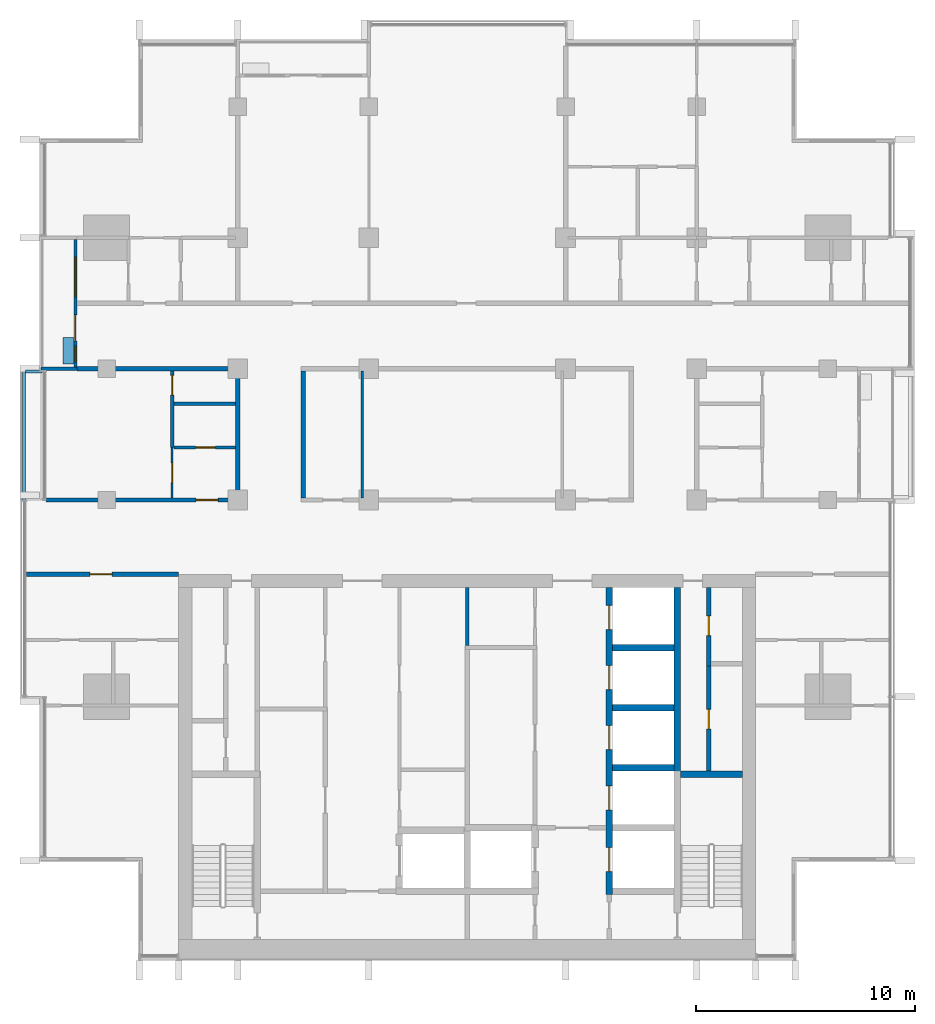
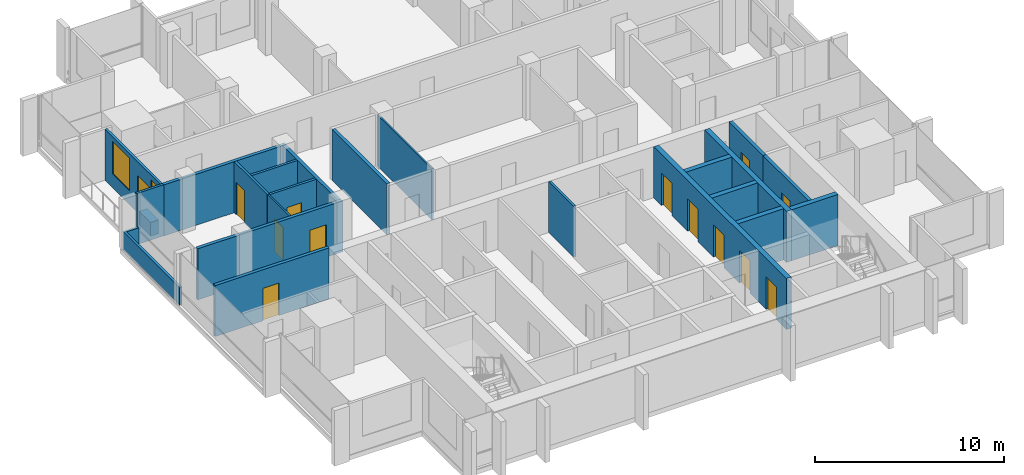
# One storey, part 8 of 16: 24 walls, 13 doors, 2 windows, 15 openings.
"""IFC4 building model written with IfcOpenShell, lengths in metres."""

from ifc_helpers import new_model, si_unit, direction, frame, frame_2d, origin, place, context, subcontext, project, spatial, rectangle, extrude, material, layer, layer_set, type_object, element, fill, save


model = new_model("IFC4")

# Units and contexts
model_context = context("Model", 3, precision=1e-05, world=origin(), true_north=direction((0.0, 1.0)))
body_context = subcontext(model_context, "Body", "Model", "MODEL_VIEW")
ifc_project = project(units=[si_unit("LENGTHUNIT", "METRE"), si_unit("AREAUNIT", "SQUARE_METRE"), si_unit("VOLUMEUNIT", "CUBIC_METRE"), si_unit("PLANEANGLEUNIT", "RADIAN"), si_unit("MASSUNIT", "GRAM", prefix="KILO")], contexts=[model_context])

# Site, building, storey
site_placement = place(None, origin())
site = spatial("IfcSite", under=ifc_project, at=site_placement, CompositionType="ELEMENT")
building_placement = place(site_placement, origin())
building = spatial("IfcBuilding", under=site, at=building_placement, Name="Finial Court Residences", CompositionType="ELEMENT")
storey_placement = place(building_placement, frame((0.0, 0.0, 208.699951171875)))
storey = spatial("IfcBuildingStorey", under=building, at=storey_placement, Name="L52", CompositionType="ELEMENT", Elevation=208.699951171875)

# Wall
ifc_material_1 = material(Name="Fire-rated gypsum board partition")
ifc_layer_1 = layer(ifc_material_1, 0.14990234375)
ifc_layer_set_1 = layer_set([ifc_layer_1], Name="Core room partition 150 EI 60")
wall_type_1 = type_object("IfcWallType", Name="Core room partition 150 EI 60", PredefinedType="PARTITIONING", material=ifc_layer_set_1)
wall_1_placement = place(storey_placement, frame((0.0, -11.14990234375, 0.0), z_axis=(0.0, 0.0, 1.0), x_axis=(0.0, 1.0, 0.0)))
element("IfcWall", 1, at=wall_1_placement, inside=storey, type_object=wall_type_1, Name="Core partition L52-31", PredefinedType="PARTITIONING", context=body_context, shape_type="SweptSolid", body=[
    extrude(rectangle(XDim=2.64990234375, YDim=0.14990234375, at=frame_2d((1.324951171875, 0.0))), origin(), (0.0, 0.0, 1.0), 3.300048828125),
])

# Wall, opening, door
ifc_material_2 = material(Name="Gypsum board")
ifc_layer_2 = layer(ifc_material_2, 0.02490234375)
ifc_material_3 = material(Name="Acoustic mineral wool in double frame")
ifc_layer_3 = layer(ifc_material_3, 0.14990234375)
ifc_layer_4 = layer(ifc_material_2, 0.02490234375)
ifc_layer_set_2 = layer_set([ifc_layer_2, ifc_layer_3, ifc_layer_4], Name="Corridor wall 200, 1 hour")
wall_type_2 = type_object("IfcWallType", Name="Corridor wall 200, 1 hour", PredefinedType="PARTITIONING", material=ifc_layer_set_2)
wall_2_placement = place(storey_placement, frame((-20.16259765625, -7.89990234375, 0.0), z_axis=(0.0, 0.0, 1.0), x_axis=(1.0, 0.0, 0.0)))
wall_2 = element("IfcWall", 2, at=wall_2_placement, inside=storey, type_object=wall_type_2, Name="Partition L52-004", PredefinedType="PARTITIONING", context=body_context, shape_type="SweptSolid", body=[
    extrude(rectangle(XDim=6.962646484375, YDim=0.199951171875, at=frame_2d((3.4814453125, 0.0))), origin(), (0.0, 0.0, 1.0), 3.300048828125),
])
opening_1_placement = place(wall_2_placement, frame((2.9130859375, 0.0, 0.0)))
opening_1 = element("IfcOpeningElement", 3, at=opening_1_placement, cuts=wall_2, Name="Opening L52-D007", PredefinedType="OPENING", context=body_context, shape_type="SweptSolid", body=[
    extrude(rectangle(XDim=1.0, YDim=2.10009765625, at=frame_2d((0.5, 1.050048828125))), frame((0.0, 0.10986328125, 0.0), z_axis=(0.0, -1.0, 0.0), x_axis=(1.0, 0.0, 0.0)), (0.0, 0.0, 1.0), 0.219970703125),
])
ifc_material_4 = material(Name="Timber door leaf in hollow metal frame", Category="wood")
door_type_1 = type_object("IfcDoorType", Name="Fire door set 1000 x 2100, 30 minutes", OperationType="SINGLE_SWING_LEFT", PredefinedType="DOOR", material=ifc_material_4)
door_1_placement = place(opening_1_placement, origin())
door_1 = element("IfcDoor", 4, at=door_1_placement, inside=storey, type_object=door_type_1, Name="Door L52-D007", OperationType="SINGLE_SWING_RIGHT", OverallHeight=2.10009765625, OverallWidth=1.0, PredefinedType="DOOR", context=body_context, shape_type="SweptSolid", body=[
    extrude(rectangle(XDim=1.0, YDim=2.10009765625, at=frame_2d((0.5, 1.050048828125))), frame((0.0, 0.02490234375, 0.0), z_axis=(0.0, -1.0, 0.0), x_axis=(1.0, 0.0, 0.0)), (0.0, 0.0, 1.0), 0.050048828125),
])
fill(opening_1, door_1)

wall_3_placement = place(storey_placement, frame((-19.262451171875, -4.5, 0.0), z_axis=(0.0, 0.0, 1.0), x_axis=(1.0, 0.0, 0.0)))
wall_3 = element("IfcWall", 5, at=wall_3_placement, inside=storey, type_object=wall_type_2, Name="Partition L52-006", PredefinedType="PARTITIONING", context=body_context, shape_type="SweptSolid", body=[
    extrude(rectangle(XDim=8.862548828125, YDim=0.199951171875, at=frame_2d((4.43115234375, 0.0))), origin(), (0.0, 0.0, 1.0), 3.300048828125),
])
opening_2_placement = place(wall_3_placement, frame((6.862060546875, 0.0, 0.0)))
opening_2 = element("IfcOpeningElement", 6, at=opening_2_placement, cuts=wall_3, Name="Opening L52-D009", PredefinedType="OPENING", context=body_context, shape_type="SweptSolid", body=[
    extrude(rectangle(XDim=1.0, YDim=2.10009765625, at=frame_2d((0.5, 1.050048828125))), frame((0.0, 0.10986328125, 0.0), z_axis=(0.0, -1.0, 0.0), x_axis=(1.0, 0.0, 0.0)), (0.0, 0.0, 1.0), 0.219970703125),
])
door_2_placement = place(opening_2_placement, origin())
door_2 = element("IfcDoor", 7, at=door_2_placement, inside=storey, type_object=door_type_1, Name="Door L52-D009", OperationType="SINGLE_SWING_LEFT", OverallHeight=2.10009765625, OverallWidth=1.0, PredefinedType="DOOR", context=body_context, shape_type="SweptSolid", body=[
    extrude(rectangle(XDim=1.0, YDim=2.10009765625, at=frame_2d((0.5, 1.050048828125))), frame((0.0, 0.02490234375, 0.0), z_axis=(0.0, -1.0, 0.0), x_axis=(1.0, 0.0, 0.0)), (0.0, 0.0, 1.0), 0.050048828125),
])
fill(opening_2, door_2)

# Walls
wall_4_placement = place(storey_placement, frame((-17.85009765625, 1.5, 0.0), z_axis=(0.0, 0.0, 1.0), x_axis=(1.0, 0.0, 0.0)))
element("IfcWall", 8, at=wall_4_placement, inside=storey, type_object=wall_type_2, Name="Partition L52-013", PredefinedType="PARTITIONING", context=body_context, shape_type="SweptSolid", body=[
    extrude(rectangle(XDim=7.4501953125, YDim=0.199951171875, at=frame_2d((3.72509765625, 0.0))), origin(), (0.0, 0.0, 1.0), 3.300048828125),
])
for number, where, z_axis, x_axis, name in (
    (9, (-10.5, -4.39990234375, 0.0), (0.0, 0.0, 1.0), (0.0, 1.0, 0.0), "Partition L52-031"),
    (10, (-7.5, -4.39990234375, 0.0), (0.0, 0.0, 1.0), (0.0, 1.0, 0.0), "Partition L52-033"),
):
    element("IfcWall", number, at=place(storey_placement, frame(where, z_axis=z_axis, x_axis=x_axis)), inside=storey, type_object=wall_type_2, Name=name, PredefinedType="PARTITIONING", context=body_context, shape_type="SweptSolid", body=[
        extrude(rectangle(XDim=5.7998046875, YDim=0.199951171875, at=frame_2d((2.89990234375, 0.0))), origin(), (0.0, 0.0, 1.0), 3.300048828125),
    ])

# Wall, opening, door
ifc_layer_5 = layer(ifc_material_2, 0.012451171875)
ifc_material_5 = material(Name="Mineral wool in light-gauge frame")
ifc_layer_6 = layer(ifc_material_5, 0.074951171875)
ifc_layer_7 = layer(ifc_material_2, 0.012451171875)
ifc_layer_set_3 = layer_set([ifc_layer_5, ifc_layer_6, ifc_layer_7], Name="Gypsum board partition 100")
wall_type_3 = type_object("IfcWallType", Name="Gypsum board partition 100", PredefinedType="PARTITIONING", material=ifc_layer_set_3)
wall_5_placement = place(storey_placement, frame((-13.5, -4.39990234375, 0.0), z_axis=(0.0, 0.0, 1.0), x_axis=(0.0, 1.0, 0.0)))
wall_5 = element("IfcWall", 11, at=wall_5_placement, inside=storey, type_object=wall_type_3, Name="Partition L52-028", PredefinedType="PARTITIONING", context=body_context, shape_type="SweptSolid", body=[
    extrude(rectangle(XDim=2.2998046875, YDim=0.10009765625, at=frame_2d((1.14990234375, 0.0))), origin(), (0.0, 0.0, 1.0), 3.300048828125),
])
opening_3_placement = place(wall_5_placement, frame((0.699951171875, 0.0, 0.0)))
opening_3 = element("IfcOpeningElement", 12, at=opening_3_placement, cuts=wall_5, Name="Opening L52-D025", PredefinedType="OPENING", context=body_context, shape_type="SweptSolid", body=[
    extrude(rectangle(XDim=0.89990234375, YDim=2.10009765625, at=frame_2d((0.449951171875, 1.050048828125))), frame((0.0, 0.06005859375, 0.0), z_axis=(0.0, -1.0, 0.0), x_axis=(1.0, 0.0, 0.0)), (0.0, 0.0, 1.0), 0.1201171875),
])
ifc_material_6 = material(Name="Timber door leaf in timber frame", Category="wood")
door_type_2 = type_object("IfcDoorType", Name="Door set 900 x 2100", OperationType="SINGLE_SWING_LEFT", PredefinedType="DOOR", material=ifc_material_6)
door_3_placement = place(opening_3_placement, origin())
door_3 = element("IfcDoor", 13, at=door_3_placement, inside=storey, type_object=door_type_2, Name="Door L52-D025", OperationType="SINGLE_SWING_LEFT", OverallHeight=2.10009765625, OverallWidth=0.89990234375, PredefinedType="DOOR", context=body_context, shape_type="SweptSolid", body=[
    extrude(rectangle(XDim=0.89990234375, YDim=2.10009765625, at=frame_2d((0.449951171875, 1.050048828125))), frame((0.0, 0.02490234375, 0.0), z_axis=(0.0, -1.0, 0.0), x_axis=(1.0, 0.0, 0.0)), (0.0, 0.0, 1.0), 0.050048828125),
])
fill(opening_3, door_3)

# Wall
wall_6_placement = place(storey_placement, frame((-4.800048828125, -4.39990234375, 0.0), z_axis=(0.0, 0.0, 1.0), x_axis=(0.0, 1.0, 0.0)))
element("IfcWall", 14, at=wall_6_placement, inside=storey, type_object=wall_type_3, Name="Partition L52-034", PredefinedType="PARTITIONING", context=body_context, shape_type="SweptSolid", body=[
    extrude(rectangle(XDim=5.7998046875, YDim=0.10009765625, at=frame_2d((2.89990234375, 0.0))), origin(), (0.0, 0.0, 1.0), 3.300048828125),
])

# Wall, opening, door
ifc_material_7 = material(Name="Moisture-resistant gypsum board")
ifc_layer_8 = layer(ifc_material_7, 0.012451171875)
ifc_layer_9 = layer(ifc_material_5, 0.125)
ifc_layer_10 = layer(ifc_material_7, 0.012451171875)
ifc_layer_set_4 = layer_set([ifc_layer_8, ifc_layer_9, ifc_layer_10], Name="Gypsum board wet-area partition 150")
wall_type_4 = type_object("IfcWallType", Name="Gypsum board wet-area partition 150", PredefinedType="PARTITIONING", material=ifc_layer_set_4)
wall_7_placement = place(storey_placement, frame((-13.425048828125, -2.10009765625, 0.0), z_axis=(0.0, 0.0, 1.0), x_axis=(1.0, 0.0, 0.0)))
wall_7 = element("IfcWall", 15, at=wall_7_placement, inside=storey, type_object=wall_type_4, Name="Partition L52-009", PredefinedType="PARTITIONING", context=body_context, shape_type="SweptSolid", body=[
    extrude(rectangle(XDim=2.824951171875, YDim=0.14990234375, at=frame_2d((1.41259765625, 0.0))), origin(), (0.0, 0.0, 1.0), 3.300048828125),
])
opening_4_placement = place(wall_7_placement, frame((1.0, 0.0, 0.0)))
opening_4 = element("IfcOpeningElement", 16, at=opening_4_placement, cuts=wall_7, Name="Opening L52-D014", PredefinedType="OPENING", context=body_context, shape_type="SweptSolid", body=[
    extrude(rectangle(XDim=0.89990234375, YDim=2.10009765625, at=frame_2d((0.449951171875, 1.050048828125))), frame((0.0, 0.0849609375, 0.0), z_axis=(0.0, -1.0, 0.0), x_axis=(1.0, 0.0, 0.0)), (0.0, 0.0, 1.0), 0.169921875),
])
door_4_placement = place(opening_4_placement, origin())
door_4 = element("IfcDoor", 17, at=door_4_placement, inside=storey, type_object=door_type_2, Name="Door L52-D014", OperationType="SINGLE_SWING_LEFT", OverallHeight=2.10009765625, OverallWidth=0.89990234375, PredefinedType="DOOR", context=body_context, shape_type="SweptSolid", body=[
    extrude(rectangle(XDim=0.89990234375, YDim=2.10009765625, at=frame_2d((0.449951171875, 1.050048828125))), frame((0.0, 0.02490234375, 0.0), z_axis=(0.0, -1.0, 0.0), x_axis=(1.0, 0.0, 0.0)), (0.0, 0.0, 1.0), 0.050048828125),
])
fill(opening_4, door_4)

# Wall
wall_8_placement = place(storey_placement, frame((-13.425048828125, -0.10009765625, 0.0), z_axis=(0.0, 0.0, 1.0), x_axis=(1.0, 0.0, 0.0)))
element("IfcWall", 18, at=wall_8_placement, inside=storey, type_object=wall_type_4, Name="Partition L52-011", PredefinedType="PARTITIONING", context=body_context, shape_type="SweptSolid", body=[
    extrude(rectangle(XDim=2.824951171875, YDim=0.14990234375, at=frame_2d((1.41259765625, 0.0))), origin(), (0.0, 0.0, 1.0), 3.300048828125),
])

# Wall, opening, door
wall_9_placement = place(storey_placement, frame((-13.5, -2.10009765625, 0.0), z_axis=(0.0, 0.0, 1.0), x_axis=(0.0, 1.0, 0.0)))
wall_9 = element("IfcWall", 19, at=wall_9_placement, inside=storey, type_object=wall_type_4, Name="Partition L52-029", PredefinedType="PARTITIONING", context=body_context, shape_type="SweptSolid", body=[
    extrude(rectangle(XDim=3.5, YDim=0.14990234375, at=frame_2d((1.75, 0.0))), origin(), (0.0, 0.0, 1.0), 3.300048828125),
])
opening_5_placement = place(wall_9_placement, frame((2.39990234375, 0.0, 0.0)))
opening_5 = element("IfcOpeningElement", 20, at=opening_5_placement, cuts=wall_9, Name="Opening L52-D026", PredefinedType="OPENING", context=body_context, shape_type="SweptSolid", body=[
    extrude(rectangle(XDim=0.89990234375, YDim=2.10009765625, at=frame_2d((0.449951171875, 1.050048828125))), frame((0.0, 0.0849609375, 0.0), z_axis=(0.0, -1.0, 0.0), x_axis=(1.0, 0.0, 0.0)), (0.0, 0.0, 1.0), 0.169921875),
])
door_5_placement = place(opening_5_placement, origin())
door_5 = element("IfcDoor", 21, at=door_5_placement, inside=storey, type_object=door_type_2, Name="Door L52-D026", OperationType="SINGLE_SWING_RIGHT", OverallHeight=2.10009765625, OverallWidth=0.89990234375, PredefinedType="DOOR", context=body_context, shape_type="SweptSolid", body=[
    extrude(rectangle(XDim=0.89990234375, YDim=2.10009765625, at=frame_2d((0.449951171875, 1.050048828125))), frame((0.0, 0.02490234375, 0.0), z_axis=(0.0, -1.0, 0.0), x_axis=(1.0, 0.0, 0.0)), (0.0, 0.0, 1.0), 0.050048828125),
])
fill(opening_5, door_5)

# Walls
ifc_material_8 = material(Name="Concrete C35/45", Category="concrete")
ifc_layer_11 = layer(ifc_material_8, 0.14990234375)
ifc_layer_set_5 = layer_set([ifc_layer_11], Name="Ledge parapet, Concrete C35/45 150")
wall_type_5 = type_object("IfcWallType", Name="Ledge parapet, Concrete C35/45 150", PredefinedType="PARAPET", material=ifc_layer_set_5)
wall_10_placement = place(storey_placement, frame((-20.27490234375, -4.552490234375, 0.0), z_axis=(0.0, 0.0, 1.0), x_axis=(0.0, 1.0, 0.0)))
element("IfcWall", 22, at=wall_10_placement, inside=storey, type_object=wall_type_5, Name="E-L52-LED1-P1", PredefinedType="PARAPET", context=body_context, shape_type="SweptSolid", body=[
    extrude(rectangle(XDim=6.00244140625, YDim=0.14990234375, at=frame_2d((3.001220703125, 0.0))), origin(), (0.0, 0.0, 1.0), 1.150146484375),
])
wall_11_placement = place(storey_placement, frame((-20.199951171875, 1.375, 0.0), z_axis=(0.0, 0.0, 1.0), x_axis=(1.0, 0.0, 0.0)))
element("IfcWall", 23, at=wall_11_placement, inside=storey, type_object=wall_type_5, Name="E-L52-LED1-P2", PredefinedType="PARAPET", context=body_context, shape_type="SweptSolid", body=[
    extrude(rectangle(XDim=0.75244140625, YDim=0.14990234375, at=frame_2d((0.376220703125, 0.0))), origin(), (0.0, 0.0, 1.0), 1.150146484375),
])
ifc_material_9 = material(Name="Concrete C60/75", Category="concrete")
ifc_layer_12 = layer(ifc_material_9, 0.300048828125)
ifc_layer_set_6 = layer_set([ifc_layer_12], Name="Lift shaft and stair wall 300 Concrete C60/75")
wall_type_6 = type_object("IfcWallType", Name="Lift shaft and stair wall 300 Concrete C60/75", PredefinedType="SHEAR", material=ifc_layer_set_6)
wall_12_placement = place(storey_placement, frame((9.75, -17.050048828125, 0.0), z_axis=(0.0, 0.0, 1.0), x_axis=(1.0, 0.0, 0.0)))
element("IfcWall", 24, at=wall_12_placement, inside=storey, type_object=wall_type_6, Name="Core wall L52-10", PredefinedType="SHEAR", context=body_context, shape_type="SweptSolid", body=[
    extrude(rectangle(XDim=2.85009765625, YDim=0.300048828125, at=frame_2d((1.425048828125, 0.0))), origin(), (0.0, 0.0, 1.0), 3.300048828125),
])
for number, where, z_axis, x_axis, name in (
    (25, (6.64990234375, -16.75, 0.0), (0.0, 0.0, 1.0), (1.0, 0.0, 0.0), "Core wall L52-12"),
    (26, (6.64990234375, -14.0, 0.0), (0.0, 0.0, 1.0), (1.0, 0.0, 0.0), "Core wall L52-15"),
    (27, (6.64990234375, -11.25, 0.0), (0.0, 0.0, 1.0), (1.0, 0.0, 0.0), "Core wall L52-18"),
):
    element("IfcWall", number, at=place(storey_placement, frame(where, z_axis=z_axis, x_axis=x_axis)), inside=storey, type_object=wall_type_6, Name=name, PredefinedType="SHEAR", context=body_context, shape_type="SweptSolid", body=[
        extrude(rectangle(XDim=2.800048828125, YDim=0.300048828125, at=frame_2d((1.39990234375, 0.0))), origin(), (0.0, 0.0, 1.0), 3.300048828125),
    ])

# Wall, openings, doors
wall_13_placement = place(storey_placement, frame((6.5, -22.550048828125, 0.0), z_axis=(0.0, 0.0, 1.0), x_axis=(0.0, 1.0, 0.0)))
wall_13 = element("IfcWall", 28, at=wall_13_placement, inside=storey, type_object=wall_type_6, Name="Core wall L52-37", PredefinedType="SHEAR", context=body_context, shape_type="SweptSolid", body=[
    extrude(rectangle(XDim=14.050048828125, YDim=0.300048828125, at=frame_2d((7.02490234375, 0.0))), origin(), (0.0, 0.0, 1.0), 3.300048828125),
])
opening_6_placement = place(wall_13_placement, frame((1.050048828125, 0.0, 0.0)))
opening_6 = element("IfcOpeningElement", 29, at=opening_6_placement, cuts=wall_13, Name="Opening L52-LD02", PredefinedType="OPENING", context=body_context, shape_type="SweptSolid", body=[
    extrude(rectangle(XDim=1.10009765625, YDim=2.10009765625, at=frame_2d((0.550048828125, 1.050048828125))), frame((0.0, 0.159912109375, 0.0), z_axis=(0.0, -1.0, 0.0), x_axis=(1.0, 0.0, 0.0)), (0.0, 0.0, 1.0), 0.320068359375),
])
opening_7_placement = place(wall_13_placement, frame((3.875, 0.0, 0.0)))
opening_7 = element("IfcOpeningElement", 30, at=opening_7_placement, cuts=wall_13, Name="Opening L52-LD03", PredefinedType="OPENING", context=body_context, shape_type="SweptSolid", body=[
    extrude(rectangle(XDim=1.10009765625, YDim=2.10009765625, at=frame_2d((0.550048828125, 1.050048828125))), frame((0.0, 0.159912109375, 0.0), z_axis=(0.0, -1.0, 0.0), x_axis=(1.0, 0.0, 0.0)), (0.0, 0.0, 1.0), 0.320068359375),
])
opening_8_placement = place(wall_13_placement, frame((6.625, 0.0, 0.0)))
opening_8 = element("IfcOpeningElement", 31, at=opening_8_placement, cuts=wall_13, Name="Opening L52-LD04", PredefinedType="OPENING", context=body_context, shape_type="SweptSolid", body=[
    extrude(rectangle(XDim=1.10009765625, YDim=2.10009765625, at=frame_2d((0.550048828125, 1.050048828125))), frame((0.0, 0.159912109375, 0.0), z_axis=(0.0, -1.0, 0.0), x_axis=(1.0, 0.0, 0.0)), (0.0, 0.0, 1.0), 0.320068359375),
])
opening_9_placement = place(wall_13_placement, frame((9.375, 0.0, 0.0)))
opening_9 = element("IfcOpeningElement", 32, at=opening_9_placement, cuts=wall_13, Name="Opening L52-LD05", PredefinedType="OPENING", context=body_context, shape_type="SweptSolid", body=[
    extrude(rectangle(XDim=1.10009765625, YDim=2.10009765625, at=frame_2d((0.550048828125, 1.050048828125))), frame((0.0, 0.159912109375, 0.0), z_axis=(0.0, -1.0, 0.0), x_axis=(1.0, 0.0, 0.0)), (0.0, 0.0, 1.0), 0.320068359375),
])
opening_10_placement = place(wall_13_placement, frame((12.125, 0.0, 0.0)))
opening_10 = element("IfcOpeningElement", 33, at=opening_10_placement, cuts=wall_13, Name="Opening L52-LD06", PredefinedType="OPENING", context=body_context, shape_type="SweptSolid", body=[
    extrude(rectangle(XDim=1.10009765625, YDim=2.10009765625, at=frame_2d((0.550048828125, 1.050048828125))), frame((0.0, 0.159912109375, 0.0), z_axis=(0.0, -1.0, 0.0), x_axis=(1.0, 0.0, 0.0)), (0.0, 0.0, 1.0), 0.320068359375),
])
ifc_material_10 = material(Name="Stainless steel lift door", Category="steel")
door_type_3 = type_object("IfcDoorType", Name="Lift landing door 1100 x 2100 EI 90", OperationType="DOUBLE_DOOR_SLIDING", PredefinedType="DOOR", material=ifc_material_10)
door_6_placement = place(opening_6_placement, origin())
door_6 = element("IfcDoor", 34, at=door_6_placement, inside=storey, type_object=door_type_3, Name="Lift landing door FF2 L52", OperationType="DOUBLE_DOOR_SLIDING", OverallHeight=2.10009765625, OverallWidth=1.10009765625, PredefinedType="DOOR", context=body_context, shape_type="SweptSolid", body=[
    extrude(rectangle(XDim=1.10009765625, YDim=2.10009765625, at=frame_2d((0.550048828125, 1.050048828125))), frame((0.0, 0.02490234375, 0.0), z_axis=(0.0, -1.0, 0.0), x_axis=(1.0, 0.0, 0.0)), (0.0, 0.0, 1.0), 0.050048828125),
])
fill(opening_6, door_6)
door_7_placement = place(opening_7_placement, origin())
door_7 = element("IfcDoor", 35, at=door_7_placement, inside=storey, type_object=door_type_3, Name="Lift landing door HR5 L52", OperationType="DOUBLE_DOOR_SLIDING", OverallHeight=2.10009765625, OverallWidth=1.10009765625, PredefinedType="DOOR", context=body_context, shape_type="SweptSolid", body=[
    extrude(rectangle(XDim=1.10009765625, YDim=2.10009765625, at=frame_2d((0.550048828125, 1.050048828125))), frame((0.0, 0.02490234375, 0.0), z_axis=(0.0, -1.0, 0.0), x_axis=(1.0, 0.0, 0.0)), (0.0, 0.0, 1.0), 0.050048828125),
])
fill(opening_7, door_7)
door_8_placement = place(opening_8_placement, origin())
door_8 = element("IfcDoor", 36, at=door_8_placement, inside=storey, type_object=door_type_3, Name="Lift landing door HR6 L52", OperationType="DOUBLE_DOOR_SLIDING", OverallHeight=2.10009765625, OverallWidth=1.10009765625, PredefinedType="DOOR", context=body_context, shape_type="SweptSolid", body=[
    extrude(rectangle(XDim=1.10009765625, YDim=2.10009765625, at=frame_2d((0.550048828125, 1.050048828125))), frame((0.0, 0.02490234375, 0.0), z_axis=(0.0, -1.0, 0.0), x_axis=(1.0, 0.0, 0.0)), (0.0, 0.0, 1.0), 0.050048828125),
])
fill(opening_8, door_8)
door_9_placement = place(opening_9_placement, origin())
door_9 = element("IfcDoor", 37, at=door_9_placement, inside=storey, type_object=door_type_3, Name="Lift landing door HR7 L52", OperationType="DOUBLE_DOOR_SLIDING", OverallHeight=2.10009765625, OverallWidth=1.10009765625, PredefinedType="DOOR", context=body_context, shape_type="SweptSolid", body=[
    extrude(rectangle(XDim=1.10009765625, YDim=2.10009765625, at=frame_2d((0.550048828125, 1.050048828125))), frame((0.0, 0.02490234375, 0.0), z_axis=(0.0, -1.0, 0.0), x_axis=(1.0, 0.0, 0.0)), (0.0, 0.0, 1.0), 0.050048828125),
])
fill(opening_9, door_9)
door_10_placement = place(opening_10_placement, origin())
door_10 = element("IfcDoor", 38, at=door_10_placement, inside=storey, type_object=door_type_3, Name="Lift landing door HR8 L52", OperationType="DOUBLE_DOOR_SLIDING", OverallHeight=2.10009765625, OverallWidth=1.10009765625, PredefinedType="DOOR", context=body_context, shape_type="SweptSolid", body=[
    extrude(rectangle(XDim=1.10009765625, YDim=2.10009765625, at=frame_2d((0.550048828125, 1.050048828125))), frame((0.0, 0.02490234375, 0.0), z_axis=(0.0, -1.0, 0.0), x_axis=(1.0, 0.0, 0.0)), (0.0, 0.0, 1.0), 0.050048828125),
])
fill(opening_10, door_10)

# Walls
wall_14_placement = place(storey_placement, frame((9.60009765625, -17.199951171875, 0.0), z_axis=(0.0, 0.0, 1.0), x_axis=(0.0, 1.0, 0.0)))
element("IfcWall", 39, at=wall_14_placement, inside=storey, type_object=wall_type_6, Name="Core wall L52-39", PredefinedType="SHEAR", context=body_context, shape_type="SweptSolid", body=[
    extrude(rectangle(XDim=8.699951171875, YDim=0.300048828125, at=frame_2d((4.35009765625, 0.0))), origin(), (0.0, 0.0, 1.0), 3.300048828125),
])
ifc_material_11 = material(Name="Natural limestone", Category="masonry")
ifc_layer_13 = layer(ifc_material_11, 0.14990234375)
ifc_layer_set_7 = layer_set([ifc_layer_13], Name="Limestone clad wall 150")
wall_type_7 = type_object("IfcWallType", Name="Limestone clad wall 150", PredefinedType="SOLIDWALL", material=ifc_layer_set_7)
wall_15_placement = place(storey_placement, frame((-17.85009765625, 1.5, 0.0), z_axis=(0.0, 0.0, 1.0), x_axis=(-1.0, 0.0, 0.0)))
element("IfcWall", 40, at=wall_15_placement, inside=storey, type_object=wall_type_7, Name="E-L52-BALW4-P1", PredefinedType="SOLIDWALL", context=body_context, shape_type="SweptSolid", body=[
    extrude(rectangle(XDim=1.64990234375, YDim=0.14990234375, at=frame_2d((0.824951171875, 0.0))), origin(), (0.0, 0.0, 1.0), 3.300048828125),
])

# Wall, openings, door, windows
wall_16_placement = place(storey_placement, frame((-17.925048828125, 1.574951171875, 0.0), z_axis=(0.0, 0.0, 1.0), x_axis=(0.0, 1.0, 0.0)))
wall_16 = element("IfcWall", 41, at=wall_16_placement, inside=storey, type_object=wall_type_7, Name="E-L52-L52-BALW4-W", PredefinedType="SOLIDWALL", context=body_context, shape_type="SweptSolid", body=[
    extrude(rectangle(XDim=5.85009765625, YDim=0.14990234375, at=frame_2d((2.925048828125, 0.0))), origin(), (0.0, 0.0, 1.0), 3.300048828125),
])
opening_11_placement = place(wall_16_placement, frame((1.199951171875, 0.0, 0.0)))
opening_11 = element("IfcOpeningElement", 42, at=opening_11_placement, cuts=wall_16, Name="Opening DE52-03", PredefinedType="OPENING", context=body_context, shape_type="SweptSolid", body=[
    extrude(rectangle(XDim=1.199951171875, YDim=2.39990234375, at=frame_2d((0.60009765625, 1.199951171875))), frame((0.0, 0.0849609375, 0.0), z_axis=(0.0, -1.0, 0.0), x_axis=(1.0, 0.0, 0.0)), (0.0, 0.0, 1.0), 0.169921875),
])
opening_12_placement = place(wall_16_placement, frame((0.25, 0.0, 0.89990234375)))
opening_12 = element("IfcOpeningElement", 43, at=opening_12_placement, cuts=wall_16, Name="Opening WE52-13", PredefinedType="OPENING", context=body_context, shape_type="SweptSolid", body=[
    extrude(rectangle(XDim=0.699951171875, YDim=2.10009765625, at=frame_2d((0.35009765625, 1.050048828125))), frame((0.0, 0.0849609375, 0.0), z_axis=(0.0, -1.0, 0.0), x_axis=(1.0, 0.0, 0.0)), (0.0, 0.0, 1.0), 0.169921875),
])
opening_13_placement = place(wall_16_placement, frame((3.22509765625, 0.0, 0.89990234375)))
opening_13 = element("IfcOpeningElement", 44, at=opening_13_placement, cuts=wall_16, Name="Opening WE52-14", PredefinedType="OPENING", context=body_context, shape_type="SweptSolid", body=[
    extrude(rectangle(XDim=1.800048828125, YDim=2.10009765625, at=frame_2d((0.89990234375, 1.050048828125))), frame((0.0, 0.0849609375, 0.0), z_axis=(0.0, -1.0, 0.0), x_axis=(1.0, 0.0, 0.0)), (0.0, 0.0, 1.0), 0.169921875),
])
ifc_material_12 = material(Name="Bronze anodised aluminium", Category="aluminium")
door_type_4 = type_object("IfcDoorType", Name="Balcony door 1200 x 2400", OperationType="SINGLE_SWING_LEFT", PredefinedType="DOOR", material=ifc_material_12)
door_11_placement = place(opening_11_placement, origin())
door_11 = element("IfcDoor", 45, at=door_11_placement, inside=storey, type_object=door_type_4, Name="E-L52-L52-BALW4-W-D", OperationType="SINGLE_SWING_RIGHT", OverallHeight=2.39990234375, OverallWidth=1.199951171875, PredefinedType="DOOR", context=body_context, shape_type="SweptSolid", body=[
    extrude(rectangle(XDim=1.199951171875, YDim=2.39990234375, at=frame_2d((0.60009765625, 1.199951171875))), frame((0.0, 0.02490234375, 0.0), z_axis=(0.0, -1.0, 0.0), x_axis=(1.0, 0.0, 0.0)), (0.0, 0.0, 1.0), 0.050048828125),
])
fill(opening_11, door_11)
ifc_material_13 = material(Name="Clear low-e glass", Category="glass")
window_type_1 = type_object("IfcWindowType", Name="Balcony window 1800 x 2100", PartitioningType="SINGLE_PANEL", PredefinedType="WINDOW", material=ifc_material_13)
window_1_placement = place(opening_13_placement, origin())
window_1 = element("IfcWindow", 46, at=window_1_placement, inside=storey, type_object=window_type_1, Name="E-L52-L52-BALW4-W-W2", OverallHeight=2.10009765625, OverallWidth=1.800048828125, PartitioningType="SINGLE_PANEL", PredefinedType="WINDOW", context=body_context, shape_type="SweptSolid", body=[
    extrude(rectangle(XDim=1.800048828125, YDim=2.10009765625, at=frame_2d((0.89990234375, 1.050048828125))), frame((0.0, 0.030029296875, 0.0), z_axis=(0.0, -1.0, 0.0), x_axis=(1.0, 0.0, 0.0)), (0.0, 0.0, 1.0), 0.06005859375),
])
fill(opening_13, window_1)
window_type_2 = type_object("IfcWindowType", Name="Balcony window 700 x 2100", PartitioningType="SINGLE_PANEL", PredefinedType="WINDOW", material=ifc_material_13)
window_2_placement = place(opening_12_placement, origin())
window_2 = element("IfcWindow", 47, at=window_2_placement, inside=storey, type_object=window_type_2, Name="E-L52-L52-BALW4-W-W1", OverallHeight=2.10009765625, OverallWidth=0.699951171875, PartitioningType="SINGLE_PANEL", PredefinedType="WINDOW", context=body_context, shape_type="SweptSolid", body=[
    extrude(rectangle(XDim=0.699951171875, YDim=2.10009765625, at=frame_2d((0.35009765625, 1.050048828125))), frame((0.0, 0.030029296875, 0.0), z_axis=(0.0, -1.0, 0.0), x_axis=(1.0, 0.0, 0.0)), (0.0, 0.0, 1.0), 0.06005859375),
])
fill(opening_12, window_2)

# Wall
ifc_material_14 = material(Name="Concrete C40/50", Category="concrete")
ifc_layer_14 = layer(ifc_material_14, 0.10009765625)
ifc_material_15 = material(Name="Planting soil", Category="soil")
ifc_layer_15 = layer(ifc_material_15, 0.300048828125)
ifc_layer_16 = layer(ifc_material_14, 0.10009765625)
ifc_layer_set_8 = layer_set([ifc_layer_14, ifc_layer_15, ifc_layer_16], Name="Planter wall, balcony")
wall_type_8 = type_object("IfcWallType", Name="Planter wall, balcony", PredefinedType="USERDEFINED", material=ifc_layer_set_8)
wall_17_placement = place(storey_placement, frame((-18.25, 1.72509765625, 0.0), z_axis=(0.0, 0.0, 1.0), x_axis=(0.0, 1.0, 0.0)))
element("IfcWall", 48, at=wall_17_placement, inside=storey, type_object=wall_type_8, Name="E-L52-BALW4-PL", ObjectType="PLANTER", PredefinedType="USERDEFINED", context=body_context, shape_type="SweptSolid", body=[
    extrude(rectangle(XDim=1.199951171875, YDim=0.5, at=frame_2d((0.60009765625, 0.0))), origin(), (0.0, 0.0, 1.0), 0.900146484375),
])

# Wall, opening, door
ifc_layer_17 = layer(ifc_material_1, 0.199951171875)
ifc_layer_set_9 = layer_set([ifc_layer_17], Name="Riser room wall 200 EI 120")
wall_type_9 = type_object("IfcWallType", Name="Riser room wall 200 EI 120", PredefinedType="PARTITIONING", material=ifc_layer_set_9)
wall_18_placement = place(storey_placement, frame((11.050048828125, -8.5, 0.0), z_axis=(0.0, 0.0, 1.0), x_axis=(0.0, -1.0, 0.0)))
wall_18 = element("IfcWall", 49, at=wall_18_placement, inside=storey, type_object=wall_type_9, Name="Core partition L52-41", PredefinedType="PARTITIONING", context=body_context, shape_type="SweptSolid", body=[
    extrude(rectangle(XDim=3.60009765625, YDim=0.199951171875, at=frame_2d((1.800048828125, 0.0))), origin(), (0.0, 0.0, 1.0), 3.300048828125),
])
opening_14_placement = place(wall_18_placement, frame((1.300048828125, 0.0, 0.0)))
opening_14 = element("IfcOpeningElement", 50, at=opening_14_placement, cuts=wall_18, Name="Opening L52-C08", PredefinedType="OPENING", context=body_context, shape_type="SweptSolid", body=[
    extrude(rectangle(XDim=0.89990234375, YDim=2.10009765625, at=frame_2d((0.449951171875, 1.050048828125))), frame((0.0, 0.10986328125, 0.0), z_axis=(0.0, -1.0, 0.0), x_axis=(1.0, 0.0, 0.0)), (0.0, 0.0, 1.0), 0.219970703125),
])
ifc_material_16 = material(Name="Steel fire door", Category="steel")
door_type_5 = type_object("IfcDoorType", Name="Riser room door 900 x 2100 EI 90", OperationType="NOTDEFINED", PredefinedType="DOOR", material=ifc_material_16)
door_12_placement = place(opening_14_placement, origin())
door_12 = element("IfcDoor", 51, at=door_12_placement, inside=storey, type_object=door_type_5, Name="Riser room door L52-C08", OperationType="SINGLE_SWING_RIGHT", OverallHeight=2.10009765625, OverallWidth=0.89990234375, PredefinedType="DOOR", context=body_context, shape_type="SweptSolid", body=[
    extrude(rectangle(XDim=0.89990234375, YDim=2.10009765625, at=frame_2d((0.449951171875, 1.050048828125))), frame((0.0, 0.02490234375, 0.0), z_axis=(0.0, -1.0, 0.0), x_axis=(1.0, 0.0, 0.0)), (0.0, 0.0, 1.0), 0.050048828125),
])
fill(opening_14, door_12)

ifc_layer_18 = layer(ifc_material_1, 0.199951171875)
ifc_layer_set_10 = layer_set([ifc_layer_18], Name="Stair passage wall 200 EI 180")
wall_type_10 = type_object("IfcWallType", Name="Stair passage wall 200 EI 180", PredefinedType="PARTITIONING", material=ifc_layer_set_10)
wall_19_placement = place(storey_placement, frame((11.050048828125, -11.89990234375, 0.0), z_axis=(0.0, 0.0, 1.0), x_axis=(0.0, -1.0, 0.0)))
wall_19 = element("IfcWall", 52, at=wall_19_placement, inside=storey, type_object=wall_type_10, Name="Core partition L52-40", PredefinedType="PARTITIONING", context=body_context, shape_type="SweptSolid", body=[
    extrude(rectangle(XDim=5.0, YDim=0.199951171875, at=frame_2d((2.5, 0.0))), origin(), (0.0, 0.0, 1.0), 3.300048828125),
])
opening_15_placement = place(wall_19_placement, frame((2.175048828125, 0.0, 0.0)))
opening_15 = element("IfcOpeningElement", 53, at=opening_15_placement, cuts=wall_19, Name="Opening L52-C14", PredefinedType="OPENING", context=body_context, shape_type="SweptSolid", body=[
    extrude(rectangle(XDim=0.89990234375, YDim=2.10009765625, at=frame_2d((0.449951171875, 1.050048828125))), frame((0.0, 0.10986328125, 0.0), z_axis=(0.0, -1.0, 0.0), x_axis=(1.0, 0.0, 0.0)), (0.0, 0.0, 1.0), 0.219970703125),
])
door_type_6 = type_object("IfcDoorType", Name="Core room door 900 x 2100 EI 60", OperationType="NOTDEFINED", PredefinedType="DOOR", material=ifc_material_16)
door_13_placement = place(opening_15_placement, origin())
door_13 = element("IfcDoor", 54, at=door_13_placement, inside=storey, type_object=door_type_6, Name="Core room door L52-C14", OperationType="SINGLE_SWING_RIGHT", OverallHeight=2.10009765625, OverallWidth=0.89990234375, PredefinedType="DOOR", context=body_context, shape_type="SweptSolid", body=[
    extrude(rectangle(XDim=0.89990234375, YDim=2.10009765625, at=frame_2d((0.449951171875, 1.050048828125))), frame((0.0, 0.02490234375, 0.0), z_axis=(0.0, -1.0, 0.0), x_axis=(1.0, 0.0, 0.0)), (0.0, 0.0, 1.0), 0.050048828125),
])
fill(opening_15, door_13)

save(model, "model.ifc")
